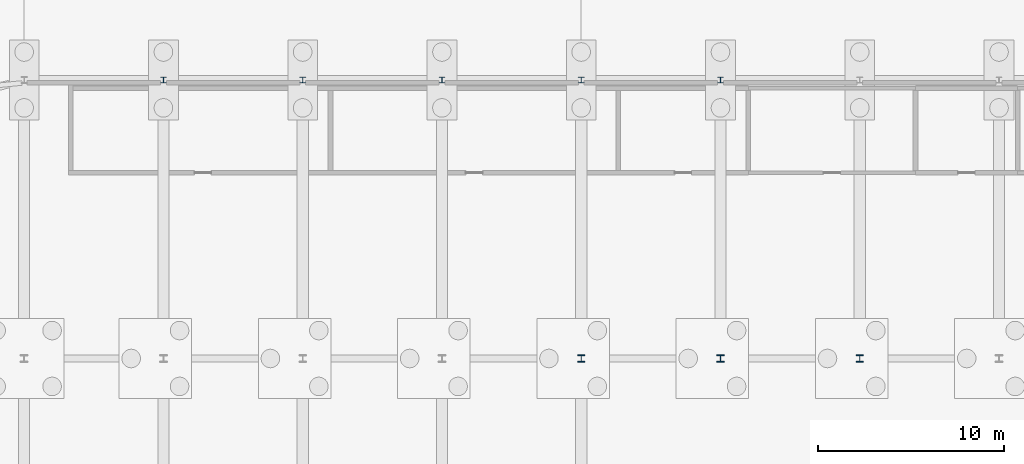
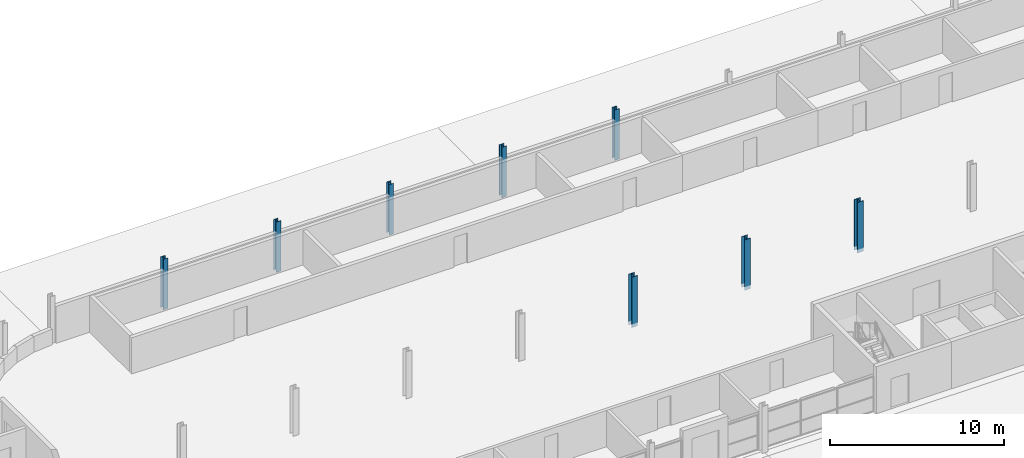
# One storey, part 38 of 130: 8 columns.
"""IFC4 building model written with IfcOpenShell, lengths in metres."""

from ifc_helpers import new_model, si_unit, direction, frame, origin, origin_2d, place, context, subcontext, project, spatial, i_section, extrude, material, material_profile, profile_set, type_object, element, save


model = new_model("IFC4")

# Units and contexts
model_context = context("Model", 3, precision=1e-05, world=origin(), true_north=direction((0.0, 1.0)))
body_context = subcontext(model_context, "Body", "Model", "MODEL_VIEW")
ifc_project = project(units=[si_unit("LENGTHUNIT", "METRE"), si_unit("AREAUNIT", "SQUARE_METRE"), si_unit("VOLUMEUNIT", "CUBIC_METRE"), si_unit("PLANEANGLEUNIT", "RADIAN"), si_unit("MASSUNIT", "GRAM", prefix="KILO")], contexts=[model_context])

# Site, building, storey
site_placement = place(None, origin())
site = spatial("IfcSite", under=ifc_project, at=site_placement, CompositionType="ELEMENT")
building_placement = place(site_placement, origin())
building = spatial("IfcBuilding", under=site, at=building_placement, Name="Parallax Yard Mobility Hub", CompositionType="ELEMENT")
storey_placement = place(building_placement, origin())
storey = spatial("IfcBuildingStorey", under=building, at=storey_placement, Name="L00", CompositionType="ELEMENT", Elevation=0.0)

# Columns
ifc_material = material(Name="Steel ASTM A992", Category="steel")
ifc_material_profile_1 = material_profile(ifc_material, i_section(OverallWidth=0.306884765625, OverallDepth=0.318115234375, WebThickness=0.01318359375, FlangeThickness=0.0205078125, FilletRadius=0.01513671875, at=origin_2d()), Name="W310x129")
ifc_profile_set_1 = profile_set([ifc_material_profile_1], Name="Steel ASTM A992")
column_type_1 = type_object("IfcColumnType", Name="W310x129 column", PredefinedType="COLUMN", material=ifc_profile_set_1)
for number, where, z_axis, x_axis, name in (
    (1, (37.5, 142.5, -0.25), (0.0, 0.0, 1.0), (1.0, 0.0, 0.0), "Column C3 level L00 at V/6 of ramped parking decks"),
    (2, (45.0, 142.5, -0.25), (0.0, 0.0, 1.0), (1.0, 0.0, 0.0), "Column C3 level L00 at V/7 of ramped parking decks"),
    (3, (52.5, 142.5, -0.25), (0.0, 0.0, 1.0), (1.0, 0.0, 0.0), "Column C3 level L00 at V/8 of ramped parking decks"),
    (4, (60.0, 142.5, -0.25), (0.0, 0.0, 1.0), (1.0, 0.0, 0.0), "Column C3 level L00 at V/9 of ramped parking decks"),
    (5, (67.5, 142.5, -0.25), (0.0, 0.0, 1.0), (1.0, 0.0, 0.0), "Column C3 level L00 at V/10 of ramped parking decks"),
):
    element("IfcColumn", number, at=place(storey_placement, frame(where, z_axis=z_axis, x_axis=x_axis)), inside=storey, type_object=column_type_1, Name=name, PredefinedType="COLUMN", context=body_context, shape_type="SweptSolid", body=[
        extrude(i_section(OverallWidth=0.306884765625, OverallDepth=0.318115234375, WebThickness=0.01318359375, FlangeThickness=0.0205078125, FilletRadius=0.01513671875, at=origin_2d()), origin(), (0.0, 0.0, 1.0), 3.550048828125),
    ])
ifc_material_profile_2 = material_profile(ifc_material, i_section(OverallWidth=0.39599609375, OverallDepth=0.381103515625, WebThickness=0.018798828125, FlangeThickness=0.0302734375, FilletRadius=0.015380859375, at=origin_2d()), Name="W360x237")
ifc_profile_set_2 = profile_set([ifc_material_profile_2], Name="Steel ASTM A992")
column_type_2 = type_object("IfcColumnType", Name="W360x237 column", PredefinedType="COLUMN", material=ifc_profile_set_2)
for number, where, z_axis, x_axis, name in (
    (6, (60.0, 127.5, -0.25), (0.0, 0.0, 1.0), (1.0, 0.0, 0.0), "Column C10 level L00 at T/9 of ramped parking decks"),
    (7, (67.5, 127.5, -0.25), (0.0, 0.0, 1.0), (1.0, 0.0, 0.0), "Column C10 level L00 at T/10 of ramped parking decks"),
    (8, (75.0, 127.5, -0.25), (0.0, 0.0, 1.0), (1.0, 0.0, 0.0), "Column C10 level L00 at T/11 of ramped parking decks"),
):
    element("IfcColumn", number, at=place(storey_placement, frame(where, z_axis=z_axis, x_axis=x_axis)), inside=storey, type_object=column_type_2, Name=name, PredefinedType="COLUMN", context=body_context, shape_type="SweptSolid", body=[
        extrude(i_section(OverallWidth=0.39599609375, OverallDepth=0.381103515625, WebThickness=0.018798828125, FlangeThickness=0.0302734375, FilletRadius=0.015380859375, at=origin_2d()), origin(), (0.0, 0.0, 1.0), 3.550048828125),
    ])

save(model, "model.ifc")
